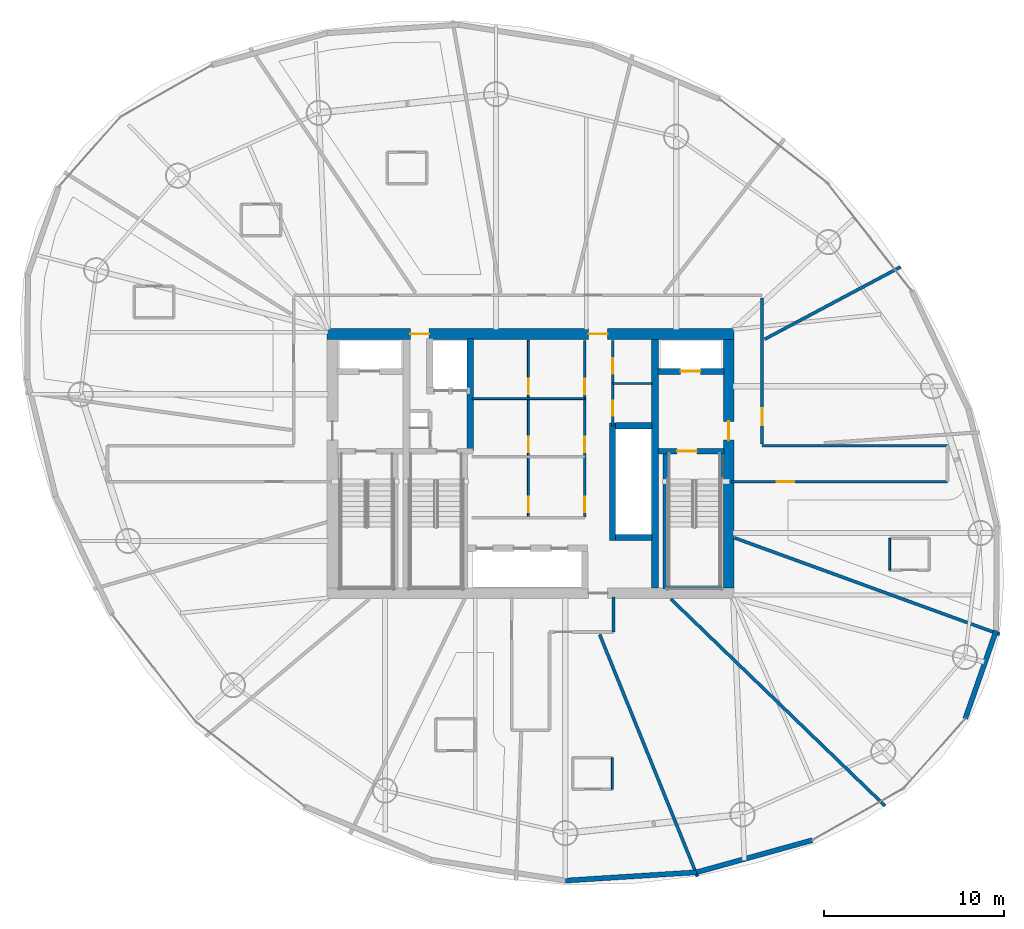
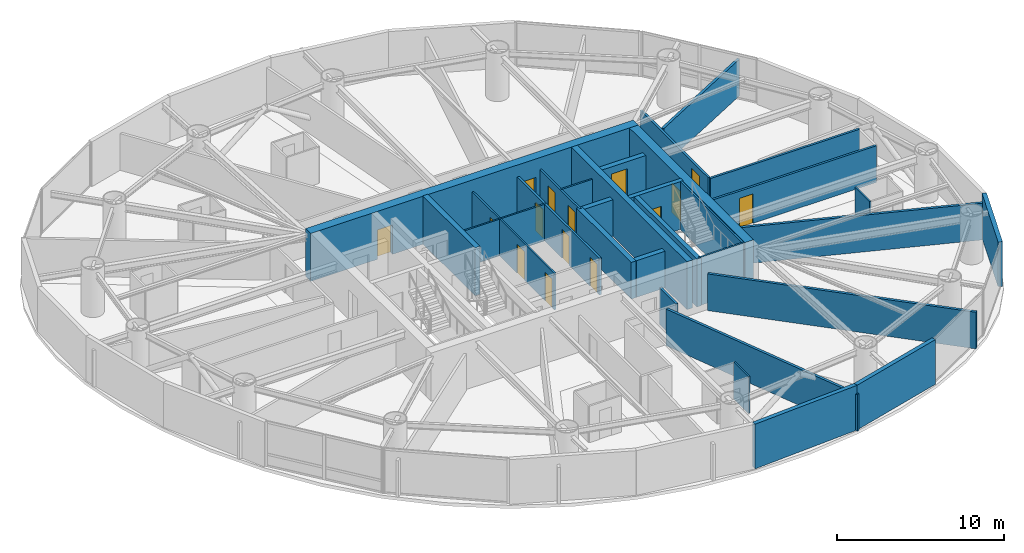
# One storey, part 15 of 20: 30 walls, 15 doors, 15 openings.
"""IFC4 building model written with IfcOpenShell, lengths in metres."""

from ifc_helpers import new_model, si_unit, direction, frame, frame_2d, origin, place, context, subcontext, project, spatial, rectangle, extrude, material, layer, layer_set, type_object, element, fill, save


model = new_model("IFC4")

# Units and contexts
model_context = context("Model", 3, precision=1e-05, world=origin(), true_north=direction((0.0, 1.0)))
body_context = subcontext(model_context, "Body", "Model", "MODEL_VIEW")
ifc_project = project(units=[si_unit("LENGTHUNIT", "METRE"), si_unit("AREAUNIT", "SQUARE_METRE"), si_unit("VOLUMEUNIT", "CUBIC_METRE"), si_unit("PLANEANGLEUNIT", "RADIAN"), si_unit("MASSUNIT", "GRAM", prefix="KILO")], contexts=[model_context])

# Site, building, storey
site_placement = place(None, origin())
site = spatial("IfcSite", under=ifc_project, at=site_placement, CompositionType="ELEMENT")
building_placement = place(site_placement, origin())
building = spatial("IfcBuilding", under=site, at=building_placement, Name="Bramvorn Convention Spire", CompositionType="ELEMENT")
storey_placement = place(building_placement, frame((0.0, 0.0, 151.800048828125)))
storey = spatial("IfcBuildingStorey", under=building, at=storey_placement, Name="L38", CompositionType="ELEMENT", Elevation=151.800048828125)

# Wall, openings, doors
ifc_material_1 = material(Name="Concrete C60/70", Category="concrete")
ifc_layer_1 = layer(ifc_material_1, 0.60009765625)
ifc_layer_set_1 = layer_set([ifc_layer_1], Name="Concrete C60/70 - WL-CORE-600")
wall_type_1 = type_object("IfcWallType", Name="WL-CORE-600", PredefinedType="SHEAR", material=ifc_layer_set_1)
wall_1_placement = place(storey_placement, frame((26.699951171875, 33.199951171875, 0.0), z_axis=(0.0, 0.0, 1.0), x_axis=(1.0, 0.0, 0.0)))
wall_1 = element("IfcWall", 1, at=wall_1_placement, inside=storey, type_object=wall_type_1, Name="L38 North RC core shear wall", PredefinedType="SHEAR", context=body_context, shape_type="SweptSolid", body=[
    extrude(rectangle(XDim=22.60009765625, YDim=0.60009765625, at=frame_2d((11.300048828125, 0.0))), origin(), (0.0, 0.0, 1.0), 3.5),
])
opening_1_placement = place(wall_1_placement, frame((4.6201171875, 0.0, 0.0)))
opening_1 = element("IfcOpeningElement", 2, at=opening_1_placement, cuts=wall_1, Name="Opening DL-105", PredefinedType="OPENING", context=body_context, shape_type="SweptSolid", body=[
    extrude(rectangle(XDim=1.050048828125, YDim=2.14990234375, at=frame_2d((0.52490234375, 1.074951171875))), frame((0.0, 0.31005859375, 0.0), z_axis=(0.0, -1.0, 0.0), x_axis=(1.0, 0.0, 0.0)), (0.0, 0.0, 1.0), 0.6201171875),
])
opening_2_placement = place(wall_1_placement, frame((14.52001953125, 0.0, 0.0)))
opening_2 = element("IfcOpeningElement", 3, at=opening_2_placement, cuts=wall_1, Name="Opening DL-105", PredefinedType="OPENING", context=body_context, shape_type="SweptSolid", body=[
    extrude(rectangle(XDim=1.050048828125, YDim=2.14990234375, at=frame_2d((0.52490234375, 1.074951171875))), frame((0.0, 0.31005859375, 0.0), z_axis=(0.0, -1.0, 0.0), x_axis=(1.0, 0.0, 0.0)), (0.0, 0.0, 1.0), 0.6201171875),
])
ifc_material_2 = material(Name="Smoke-Sealed Fire Lobby Timber-Core Door", Category="wood")
door_type_1 = type_object("IfcDoorType", Name="DR-LOBBY-1050", OperationType="NOTDEFINED", PredefinedType="DOOR", material=ifc_material_2)
door_1_placement = place(opening_1_placement, origin())
door_1 = element("IfcDoor", 4, at=door_1_placement, inside=storey, type_object=door_type_1, Name="L38 Service & Stair ST3 Lobby north corridor door", OperationType="SINGLE_SWING_LEFT", OverallHeight=2.14990234375, OverallWidth=1.050048828125, PredefinedType="DOOR", context=body_context, shape_type="SweptSolid", body=[
    extrude(rectangle(XDim=1.050048828125, YDim=2.14990234375, at=frame_2d((0.52490234375, 1.074951171875))), frame((0.0, 0.02490234375, 0.0), z_axis=(0.0, -1.0, 0.0), x_axis=(1.0, 0.0, 0.0)), (0.0, 0.0, 1.0), 0.050048828125),
])
fill(opening_1, door_1)
door_2_placement = place(opening_2_placement, origin())
door_2 = element("IfcDoor", 5, at=door_2_placement, inside=storey, type_object=door_type_1, Name="L38 North Lift Lobby fire door", OperationType="SINGLE_SWING_LEFT", OverallHeight=2.14990234375, OverallWidth=1.050048828125, PredefinedType="DOOR", context=body_context, shape_type="SweptSolid", body=[
    extrude(rectangle(XDim=1.050048828125, YDim=2.14990234375, at=frame_2d((0.52490234375, 1.074951171875))), frame((0.0, 0.02490234375, 0.0), z_axis=(0.0, -1.0, 0.0), x_axis=(1.0, 0.0, 0.0)), (0.0, 0.0, 1.0), 0.050048828125),
])
fill(opening_2, door_2)

# Wall, opening, door
wall_2_placement = place(storey_placement, frame((49.0, 19.10009765625, 0.0), z_axis=(0.0, 0.0, 1.0), x_axis=(0.0, 1.0, 0.0)))
wall_2 = element("IfcWall", 6, at=wall_2_placement, inside=storey, type_object=wall_type_1, Name="L38 East RC core shear wall", PredefinedType="SHEAR", context=body_context, shape_type="SweptSolid", body=[
    extrude(rectangle(XDim=13.7998046875, YDim=0.60009765625, at=frame_2d((6.89990234375, 0.0))), origin(), (0.0, 0.0, 1.0), 3.5),
])
opening_3_placement = place(wall_2_placement, frame((8.199951171875, 0.0, 0.0)))
opening_3 = element("IfcOpeningElement", 7, at=opening_3_placement, cuts=wall_2, Name="Opening DL-105", PredefinedType="OPENING", context=body_context, shape_type="SweptSolid", body=[
    extrude(rectangle(XDim=1.050048828125, YDim=2.14990234375, at=frame_2d((0.52490234375, 1.074951171875))), frame((0.0, 0.31005859375, 0.0), z_axis=(0.0, -1.0, 0.0), x_axis=(1.0, 0.0, 0.0)), (0.0, 0.0, 1.0), 0.6201171875),
])
door_3_placement = place(opening_3_placement, origin())
door_3 = element("IfcDoor", 8, at=door_3_placement, inside=storey, type_object=door_type_1, Name="L38 East Firefighting Lobby corridor door", OperationType="SINGLE_SWING_LEFT", OverallHeight=2.14990234375, OverallWidth=1.050048828125, PredefinedType="DOOR", context=body_context, shape_type="SweptSolid", body=[
    extrude(rectangle(XDim=1.050048828125, YDim=2.14990234375, at=frame_2d((0.52490234375, 1.074951171875))), frame((0.0, 0.02490234375, 0.0), z_axis=(0.0, -1.0, 0.0), x_axis=(1.0, 0.0, 0.0)), (0.0, 0.0, 1.0), 0.050048828125),
])
fill(opening_3, door_3)

ifc_material_3 = material(Name="Concrete C50/60", Category="concrete")
ifc_layer_2 = layer(ifc_material_3, 0.35009765625)
ifc_layer_set_2 = layer_set([ifc_layer_2], Name="Concrete C50/60 - WL-CORE-INT-350")
wall_type_2 = type_object("IfcWallType", Name="WL-CORE-INT-350", PredefinedType="SHEAR", material=ifc_layer_set_2)
wall_3_placement = place(storey_placement, frame((45.080078125, 31.1201171875, 0.0), z_axis=(0.0, 0.0, 1.0), x_axis=(1.0, 0.0, 0.0)))
wall_3 = element("IfcWall", 9, at=wall_3_placement, inside=storey, type_object=wall_type_2, Name="L38 FE2 shaft front wall", PredefinedType="SHEAR", context=body_context, shape_type="SweptSolid", body=[
    extrude(rectangle(XDim=3.669921875, YDim=0.35009765625, at=frame_2d((1.8349609375, 0.0))), origin(), (0.0, 0.0, 1.0), 2.675048828125),
])
opening_4_placement = place(wall_3_placement, frame((1.25, 0.0, 0.0)))
opening_4 = element("IfcOpeningElement", 10, at=opening_4_placement, cuts=wall_3, Name="Opening LD-110", PredefinedType="OPENING", context=body_context, shape_type="SweptSolid", body=[
    extrude(rectangle(XDim=1.10009765625, YDim=2.14990234375, at=frame_2d((0.550048828125, 1.074951171875))), frame((0.0, 0.18505859375, 0.0), z_axis=(0.0, -1.0, 0.0), x_axis=(1.0, 0.0, 0.0)), (0.0, 0.0, 1.0), 0.3701171875),
])
ifc_material_4 = material(Name="Firefighting & Service Lift Sliding Landing Door", Category="steel")
door_type_2 = type_object("IfcDoorType", Name="DR-LIFT-LD-1100", OperationType="NOTDEFINED", PredefinedType="DOOR", material=ifc_material_4)
door_4_placement = place(opening_4_placement, origin())
door_4 = element("IfcDoor", 11, at=door_4_placement, inside=storey, type_object=door_type_2, Name="L38 Lift FE2 Sliding Landing Door", OperationType="SLIDING_TO_LEFT", OverallHeight=2.14990234375, OverallWidth=1.10009765625, PredefinedType="DOOR", context=body_context, shape_type="SweptSolid", body=[
    extrude(rectangle(XDim=1.10009765625, YDim=2.14990234375, at=frame_2d((0.550048828125, 1.074951171875))), frame((0.0, 0.02490234375, 0.0), z_axis=(0.0, -1.0, 0.0), x_axis=(1.0, 0.0, 0.0)), (0.0, 0.0, 1.0), 0.050048828125),
])
fill(opening_4, door_4)

# Walls
wall_4_placement = place(storey_placement, frame((34.639892578125, 26.68994140625, 0.0), z_axis=(0.0, 0.0, 1.0), x_axis=(0.0, 1.0, 0.0)))
element("IfcWall", 12, at=wall_4_placement, inside=storey, type_object=wall_type_2, Name="L38 SV east core shaft wall", PredefinedType="SHEAR", context=body_context, shape_type="SweptSolid", body=[
    extrude(rectangle(XDim=6.260009765625, YDim=0.35009765625, at=frame_2d((3.1298828125, 0.0))), origin(), (0.0, 0.0, 1.0), 3.5),
])
wall_5_placement = place(storey_placement, frame((42.550048828125, 21.72998046875, 0.0), z_axis=(0.0, 0.0, 1.0), x_axis=(0.0, 1.0, 0.0)))
element("IfcWall", 13, at=wall_5_placement, inside=storey, type_object=wall_type_2, Name="L38 High-rise lift bank west wall", PredefinedType="SHEAR", context=body_context, shape_type="SweptSolid", body=[
    extrude(rectangle(XDim=6.5400390625, YDim=0.35009765625, at=frame_2d((3.27001953125, 0.0))), origin(), (0.0, 0.0, 1.0), 2.675048828125),
])
for number, where, z_axis, x_axis, name in (
    (14, (42.719970703125, 21.89990234375, 0.0), (0.0, 0.0, 1.0), (1.0, 0.0, 0.0), "L38 High-rise lift bank south wall"),
    (15, (42.719970703125, 28.10009765625, 0.0), (0.0, 0.0, 1.0), (1.0, 0.0, 0.0), "L38 High-rise lift bank north wall"),
):
    element("IfcWall", number, at=place(storey_placement, frame(where, z_axis=z_axis, x_axis=x_axis)), inside=storey, type_object=wall_type_2, Name=name, PredefinedType="SHEAR", context=body_context, shape_type="SweptSolid", body=[
        extrude(rectangle(XDim=2.030029296875, YDim=0.35009765625, at=frame_2d((1.01513671875, 0.0))), origin(), (0.0, 0.0, 1.0), 2.675048828125),
    ])
ifc_layer_3 = layer(ifc_material_1, 0.39990234375)
ifc_layer_set_3 = layer_set([ifc_layer_3], Name="Concrete C60/70 - WL-CORE-INT-400")
wall_type_3 = type_object("IfcWallType", Name="WL-CORE-INT-400", PredefinedType="SHEAR", material=ifc_layer_set_3)
wall_6_placement = place(storey_placement, frame((44.89990234375, 19.10009765625, 0.0), z_axis=(0.0, 0.0, 1.0), x_axis=(0.0, 1.0, 0.0)))
element("IfcWall", 16, at=wall_6_placement, inside=storey, type_object=wall_type_3, Name="L38 East internal core shear web", PredefinedType="SHEAR", context=body_context, shape_type="SweptSolid", body=[
    extrude(rectangle(XDim=13.7998046875, YDim=0.39990234375, at=frame_2d((6.89990234375, 0.0))), origin(), (0.0, 0.0, 1.0), 3.5),
])
ifc_material_5 = material(Name="Precast Concrete C40/50 with Bronze Terracotta Rainscreen", Category="masonry")
ifc_layer_4 = layer(ifc_material_5, 0.300048828125)
ifc_layer_set_4 = layer_set([ifc_layer_4], Name="Precast Concrete C40/50 with Bronze Terracotta Rainscreen - WL-EXT-BRONZE-300")
wall_type_4 = type_object("IfcWallType", Name="WL-EXT-BRONZE-300", PredefinedType="SOLIDWALL", material=ifc_layer_set_4)
wall_7_placement = place(storey_placement, frame((63.84521484375, 16.72412109375, 0.0), z_axis=(0.0, 0.0, 1.0), x_axis=(-0.330896813474, -0.943666942747, 0.0)))
element("IfcWall", 17, at=wall_7_placement, inside=storey, type_object=wall_type_4, Name="L38 expressed bronze Gothic lancet pier wall 01", PredefinedType="SOLIDWALL", context=body_context, shape_type="SweptSolid", body=[
    extrude(rectangle(XDim=5.17431640625, YDim=0.280029296875, at=frame_2d((2.587158203125, 0.0))), origin(), (0.0, 0.0, 1.0), 3.260009765625),
])
wall_8_placement = place(storey_placement, frame((47.21875, 3.3095703125, 0.0), z_axis=(0.0, 0.0, 1.0), x_axis=(-0.997998007076, -0.063245378266, 0.0)))
element("IfcWall", 18, at=wall_8_placement, inside=storey, type_object=wall_type_4, Name="L38 expressed bronze Gothic lancet pier wall 21", PredefinedType="SOLIDWALL", context=body_context, shape_type="SweptSolid", body=[
    extrude(rectangle(XDim=7.2919921875, YDim=0.280029296875, at=frame_2d((3.64599609375, 0.0))), origin(), (0.0, 0.0, 1.0), 3.260009765625),
])
wall_9_placement = place(storey_placement, frame((53.64111328125, 5.09228515625, 0.0), z_axis=(0.0, 0.0, 1.0), x_axis=(-0.963567221961, -0.267466275935, 0.0)))
element("IfcWall", 19, at=wall_9_placement, inside=storey, type_object=wall_type_4, Name="L38 expressed bronze Gothic lancet pier wall 22", PredefinedType="SOLIDWALL", context=body_context, shape_type="SweptSolid", body=[
    extrude(rectangle(XDim=6.665283203125, YDim=0.280029296875, at=frame_2d((3.33251953125, 0.0))), origin(), (0.0, 0.0, 1.0), 3.260009765625),
])

# Wall, openings, doors
ifc_material_6 = material(Name="Lightweight En-Suite & Wet-Wall Partition", Category="gypsum")
ifc_layer_5 = layer(ifc_material_6, 0.110107421875)
ifc_layer_set_5 = layer_set([ifc_layer_5], Name="Lightweight En-Suite & Wet-Wall Partition - WL-PART-110")
wall_type_5 = type_object("IfcWallType", Name="WL-PART-110", PredefinedType="PARTITIONING", material=ifc_layer_set_5)
wall_10_placement = place(storey_placement, frame((37.8798828125, 23.050048828125, 0.0), z_axis=(0.0, 0.0, 1.0), x_axis=(0.0, 1.0, 0.0)))
wall_10 = element("IfcWall", 20, at=wall_10_placement, inside=storey, type_object=wall_type_5, Name="L38 KB center wall", PredefinedType="PARTITIONING", context=body_context, shape_type="SweptSolid", body=[
    extrude(rectangle(XDim=9.800048828125, YDim=0.110107421875, at=frame_2d((4.89990234375, 0.0))), origin(), (0.0, 0.0, 1.0), 2.675048828125),
])
opening_5_placement = place(wall_10_placement, frame((0.25, 0.0, 0.0)))
opening_5 = element("IfcOpeningElement", 21, at=opening_5_placement, cuts=wall_10, Name="Opening DC-085", PredefinedType="OPENING", context=body_context, shape_type="SweptSolid", body=[
    extrude(rectangle(XDim=0.85009765625, YDim=2.10009765625, at=frame_2d((0.425048828125, 1.050048828125))), frame((0.0, 0.06494140625, 0.0), z_axis=(0.0, -1.0, 0.0), x_axis=(1.0, 0.0, 0.0)), (0.0, 0.0, 1.0), 0.130126953125),
])
opening_6_placement = place(wall_10_placement, frame((3.58203125, 0.0, 0.0)))
opening_6 = element("IfcOpeningElement", 22, at=opening_6_placement, cuts=wall_10, Name="Opening DC-085", PredefinedType="OPENING", context=body_context, shape_type="SweptSolid", body=[
    extrude(rectangle(XDim=0.85009765625, YDim=2.10009765625, at=frame_2d((0.425048828125, 1.050048828125))), frame((0.0, 0.06494140625, 0.0), z_axis=(0.0, -1.0, 0.0), x_axis=(1.0, 0.0, 0.0)), (0.0, 0.0, 1.0), 0.130126953125),
])
opening_7_placement = place(wall_10_placement, frame((6.81591796875, 0.0, 0.0)))
opening_7 = element("IfcOpeningElement", 23, at=opening_7_placement, cuts=wall_10, Name="Opening DC-085", PredefinedType="OPENING", context=body_context, shape_type="SweptSolid", body=[
    extrude(rectangle(XDim=0.85009765625, YDim=2.10009765625, at=frame_2d((0.425048828125, 1.050048828125))), frame((0.0, 0.06494140625, 0.0), z_axis=(0.0, -1.0, 0.0), x_axis=(1.0, 0.0, 0.0)), (0.0, 0.0, 1.0), 0.130126953125),
])
ifc_material_7 = material(Name="Fire-Rated Core Washroom & IDF Door", Category="wood")
door_type_3 = type_object("IfcDoorType", Name="DR-CORE-850", OperationType="NOTDEFINED", PredefinedType="DOOR", material=ifc_material_7)
door_5_placement = place(opening_5_placement, origin())
door_5 = element("IfcDoor", 24, at=door_5_placement, inside=storey, type_object=door_type_3, Name="L38 Core Linen Store door", OperationType="SINGLE_SWING_LEFT", OverallHeight=2.10009765625, OverallWidth=0.85009765625, PredefinedType="DOOR", context=body_context, shape_type="SweptSolid", body=[
    extrude(rectangle(XDim=0.85009765625, YDim=2.10009765625, at=frame_2d((0.425048828125, 1.050048828125))), frame((0.0, 0.02490234375, 0.0), z_axis=(0.0, -1.0, 0.0), x_axis=(1.0, 0.0, 0.0)), (0.0, 0.0, 1.0), 0.050048828125),
])
fill(opening_5, door_5)
door_6_placement = place(opening_6_placement, origin())
door_6 = element("IfcDoor", 25, at=door_6_placement, inside=storey, type_object=door_type_3, Name="L38 Core Metering Closet door", OperationType="SINGLE_SWING_LEFT", OverallHeight=2.10009765625, OverallWidth=0.85009765625, PredefinedType="DOOR", context=body_context, shape_type="SweptSolid", body=[
    extrude(rectangle(XDim=0.85009765625, YDim=2.10009765625, at=frame_2d((0.425048828125, 1.050048828125))), frame((0.0, 0.02490234375, 0.0), z_axis=(0.0, -1.0, 0.0), x_axis=(1.0, 0.0, 0.0)), (0.0, 0.0, 1.0), 0.050048828125),
])
fill(opening_6, door_6)
door_7_placement = place(opening_7_placement, origin())
door_7 = element("IfcDoor", 26, at=door_7_placement, inside=storey, type_object=door_type_3, Name="L38 Core Janitor Supply door", OperationType="SINGLE_SWING_LEFT", OverallHeight=2.10009765625, OverallWidth=0.85009765625, PredefinedType="DOOR", context=body_context, shape_type="SweptSolid", body=[
    extrude(rectangle(XDim=0.85009765625, YDim=2.10009765625, at=frame_2d((0.425048828125, 1.050048828125))), frame((0.0, 0.02490234375, 0.0), z_axis=(0.0, -1.0, 0.0), x_axis=(1.0, 0.0, 0.0)), (0.0, 0.0, 1.0), 0.050048828125),
])
fill(opening_7, door_7)

# Walls
wall_11_placement = place(storey_placement, frame((34.75, 29.615966796875, 0.0), z_axis=(0.0, 0.0, 1.0), x_axis=(1.0, 0.0, 0.0)))
element("IfcWall", 27, at=wall_11_placement, inside=storey, type_object=wall_type_5, Name="L38 KB divider 2", PredefinedType="PARTITIONING", context=body_context, shape_type="SweptSolid", body=[
    extrude(rectangle(XDim=6.25, YDim=0.110107421875, at=frame_2d((3.125, 0.0))), origin(), (0.0, 0.0, 1.0), 2.675048828125),
])
wall_12_placement = place(storey_placement, frame((42.550048828125, 30.449951171875, 0.0), z_axis=(0.0, 0.0, 1.0), x_axis=(1.0, 0.0, 0.0)))
element("IfcWall", 28, at=wall_12_placement, inside=storey, type_object=wall_type_5, Name="L38 KB NE divider", PredefinedType="PARTITIONING", context=body_context, shape_type="SweptSolid", body=[
    extrude(rectangle(XDim=2.199951171875, YDim=0.110107421875, at=frame_2d((1.10009765625, 0.0))), origin(), (0.0, 0.0, 1.0), 2.675048828125),
])
for number, where, z_axis, x_axis, name in (
    (29, (42.5400390625, 7.912109375, 0.0), (0.0, 0.0, 1.0), (0.0, 1.0, 0.0), "Hotel Suite 3812 en-suite east wall"),
    (30, (57.9287109375, 20.09326171875, 0.0), (0.0, 0.0, 1.0), (0.0, 1.0, 0.0), "Hotel Suite 3815 en-suite west wall"),
):
    element("IfcWall", number, at=place(storey_placement, frame(where, z_axis=z_axis, x_axis=x_axis)), inside=storey, type_object=wall_type_5, Name=name, PredefinedType="PARTITIONING", context=body_context, shape_type="SweptSolid", body=[
        extrude(rectangle(XDim=1.760009765625, YDim=0.110107421875, at=frame_2d((0.8798828125, 0.0))), origin(), (0.0, 0.0, 1.0), 2.675048828125),
    ])

# Wall, openings, doors
ifc_material_8 = material(Name="Metal-Stud Demountable Office Partition", Category="gypsum")
ifc_layer_6 = layer(ifc_material_8, 0.1298828125)
ifc_layer_set_6 = layer_set([ifc_layer_6], Name="Metal-Stud Demountable Office Partition - WL-PART-130")
wall_type_6 = type_object("IfcWallType", Name="WL-PART-130", PredefinedType="PARTITIONING", material=ifc_layer_set_6)
wall_13_placement = place(storey_placement, frame((42.550048828125, 28.10009765625, 0.0), z_axis=(0.0, 0.0, 1.0), x_axis=(0.0, 1.0, 0.0)))
wall_13 = element("IfcWall", 31, at=wall_13_placement, inside=storey, type_object=wall_type_6, Name="L38 KB NE split wall", PredefinedType="PARTITIONING", context=body_context, shape_type="SweptSolid", body=[
    extrude(rectangle(XDim=4.75, YDim=0.1298828125, at=frame_2d((2.375, 0.0))), origin(), (0.0, 0.0, 1.0), 2.675048828125),
])
opening_8_placement = place(wall_13_placement, frame((0.550048828125, 0.0, 0.0)))
opening_8 = element("IfcOpeningElement", 32, at=opening_8_placement, cuts=wall_13, Name="Opening DC-085", PredefinedType="OPENING", context=body_context, shape_type="SweptSolid", body=[
    extrude(rectangle(XDim=0.85009765625, YDim=2.10009765625, at=frame_2d((0.425048828125, 1.050048828125))), frame((0.0, 0.074951171875, 0.0), z_axis=(0.0, -1.0, 0.0), x_axis=(1.0, 0.0, 0.0)), (0.0, 0.0, 1.0), 0.14990234375),
])
opening_9_placement = place(wall_13_placement, frame((2.89990234375, 0.0, 0.0)))
opening_9 = element("IfcOpeningElement", 33, at=opening_9_placement, cuts=wall_13, Name="Opening DC-085", PredefinedType="OPENING", context=body_context, shape_type="SweptSolid", body=[
    extrude(rectangle(XDim=0.85009765625, YDim=2.10009765625, at=frame_2d((0.425048828125, 1.050048828125))), frame((0.0, 0.074951171875, 0.0), z_axis=(0.0, -1.0, 0.0), x_axis=(1.0, 0.0, 0.0)), (0.0, 0.0, 1.0), 0.14990234375),
])
door_8_placement = place(opening_8_placement, origin())
door_8 = element("IfcDoor", 34, at=door_8_placement, inside=storey, type_object=door_type_3, Name="L38 Core Staff WC door", OperationType="SINGLE_SWING_LEFT", OverallHeight=2.10009765625, OverallWidth=0.85009765625, PredefinedType="DOOR", context=body_context, shape_type="SweptSolid", body=[
    extrude(rectangle(XDim=0.85009765625, YDim=2.10009765625, at=frame_2d((0.425048828125, 1.050048828125))), frame((0.0, 0.02490234375, 0.0), z_axis=(0.0, -1.0, 0.0), x_axis=(1.0, 0.0, 0.0)), (0.0, 0.0, 1.0), 0.050048828125),
])
fill(opening_8, door_8)
door_9_placement = place(opening_9_placement, origin())
door_9 = element("IfcDoor", 35, at=door_9_placement, inside=storey, type_object=door_type_3, Name="L38 Core Data Closet door", OperationType="SINGLE_SWING_LEFT", OverallHeight=2.10009765625, OverallWidth=0.85009765625, PredefinedType="DOOR", context=body_context, shape_type="SweptSolid", body=[
    extrude(rectangle(XDim=0.85009765625, YDim=2.10009765625, at=frame_2d((0.425048828125, 1.050048828125))), frame((0.0, 0.02490234375, 0.0), z_axis=(0.0, -1.0, 0.0), x_axis=(1.0, 0.0, 0.0)), (0.0, 0.0, 1.0), 0.050048828125),
])
fill(opening_9, door_9)

ifc_material_9 = material(Name="Acoustic Metal-Stud Tenant/Corridor Partition", Category="gypsum")
ifc_layer_7 = layer(ifc_material_9, 0.14990234375)
ifc_layer_set_7 = layer_set([ifc_layer_7], Name="Acoustic Metal-Stud Tenant/Corridor Partition - WL-PART-150")
wall_type_7 = type_object("IfcWallType", Name="WL-PART-150", PredefinedType="PARTITIONING", material=ifc_layer_set_7)
wall_14_placement = place(storey_placement, frame((41.0, 23.050048828125, 0.0), z_axis=(0.0, 0.0, 1.0), x_axis=(0.0, 1.0, 0.0)))
wall_14 = element("IfcWall", 36, at=wall_14_placement, inside=storey, type_object=wall_type_7, Name="L38 KB east core wall", PredefinedType="PARTITIONING", context=body_context, shape_type="SweptSolid", body=[
    extrude(rectangle(XDim=9.800048828125, YDim=0.14990234375, at=frame_2d((4.89990234375, 0.0))), origin(), (0.0, 0.0, 1.0), 2.675048828125),
])
opening_10_placement = place(wall_14_placement, frame((0.25, 0.0, 0.0)))
opening_10 = element("IfcOpeningElement", 37, at=opening_10_placement, cuts=wall_14, Name="Opening DC-085", PredefinedType="OPENING", context=body_context, shape_type="SweptSolid", body=[
    extrude(rectangle(XDim=0.85009765625, YDim=2.10009765625, at=frame_2d((0.425048828125, 1.050048828125))), frame((0.0, 0.0849609375, 0.0), z_axis=(0.0, -1.0, 0.0), x_axis=(1.0, 0.0, 0.0)), (0.0, 0.0, 1.0), 0.169921875),
])
opening_11_placement = place(wall_14_placement, frame((3.58203125, 0.0, 0.0)))
opening_11 = element("IfcOpeningElement", 38, at=opening_11_placement, cuts=wall_14, Name="Opening DC-085", PredefinedType="OPENING", context=body_context, shape_type="SweptSolid", body=[
    extrude(rectangle(XDim=0.85009765625, YDim=2.10009765625, at=frame_2d((0.425048828125, 1.050048828125))), frame((0.0, 0.0849609375, 0.0), z_axis=(0.0, -1.0, 0.0), x_axis=(1.0, 0.0, 0.0)), (0.0, 0.0, 1.0), 0.169921875),
])
opening_12_placement = place(wall_14_placement, frame((6.81591796875, 0.0, 0.0)))
opening_12 = element("IfcOpeningElement", 39, at=opening_12_placement, cuts=wall_14, Name="Opening DC-085", PredefinedType="OPENING", context=body_context, shape_type="SweptSolid", body=[
    extrude(rectangle(XDim=0.85009765625, YDim=2.10009765625, at=frame_2d((0.425048828125, 1.050048828125))), frame((0.0, 0.0849609375, 0.0), z_axis=(0.0, -1.0, 0.0), x_axis=(1.0, 0.0, 0.0)), (0.0, 0.0, 1.0), 0.169921875),
])
door_10_placement = place(opening_10_placement, origin())
door_10 = element("IfcDoor", 40, at=door_10_placement, inside=storey, type_object=door_type_3, Name="L38 Accessible Core Restroom door", OperationType="SINGLE_SWING_LEFT", OverallHeight=2.10009765625, OverallWidth=0.85009765625, PredefinedType="DOOR", context=body_context, shape_type="SweptSolid", body=[
    extrude(rectangle(XDim=0.85009765625, YDim=2.10009765625, at=frame_2d((0.425048828125, 1.050048828125))), frame((0.0, 0.02490234375, 0.0), z_axis=(0.0, -1.0, 0.0), x_axis=(1.0, 0.0, 0.0)), (0.0, 0.0, 1.0), 0.050048828125),
])
fill(opening_10, door_10)
door_11_placement = place(opening_11_placement, origin())
door_11 = element("IfcDoor", 41, at=door_11_placement, inside=storey, type_object=door_type_3, Name="L38 Floor Housekeeping & Linen Store door", OperationType="SINGLE_SWING_LEFT", OverallHeight=2.10009765625, OverallWidth=0.85009765625, PredefinedType="DOOR", context=body_context, shape_type="SweptSolid", body=[
    extrude(rectangle(XDim=0.85009765625, YDim=2.10009765625, at=frame_2d((0.425048828125, 1.050048828125))), frame((0.0, 0.02490234375, 0.0), z_axis=(0.0, -1.0, 0.0), x_axis=(1.0, 0.0, 0.0)), (0.0, 0.0, 1.0), 0.050048828125),
])
fill(opening_11, door_11)
door_12_placement = place(opening_12_placement, origin())
door_12 = element("IfcDoor", 42, at=door_12_placement, inside=storey, type_object=door_type_3, Name="L38 Gender-Neutral Core WC door", OperationType="SINGLE_SWING_LEFT", OverallHeight=2.10009765625, OverallWidth=0.85009765625, PredefinedType="DOOR", context=body_context, shape_type="SweptSolid", body=[
    extrude(rectangle(XDim=0.85009765625, YDim=2.10009765625, at=frame_2d((0.425048828125, 1.050048828125))), frame((0.0, 0.02490234375, 0.0), z_axis=(0.0, -1.0, 0.0), x_axis=(1.0, 0.0, 0.0)), (0.0, 0.0, 1.0), 0.050048828125),
])
fill(opening_12, door_12)

# Wall, opening, door
wall_15_placement = place(storey_placement, frame((50.85009765625, 27.080078125, 0.0), z_axis=(0.0, 0.0, 1.0), x_axis=(0.0, 1.0, 0.0)))
wall_15 = element("IfcWall", 43, at=wall_15_placement, inside=storey, type_object=wall_type_7, Name="L38 NE gallery cheek", PredefinedType="PARTITIONING", context=body_context, shape_type="SweptSolid", body=[
    extrude(rectangle(XDim=8.119873046875, YDim=0.14990234375, at=frame_2d((4.06005859375, 0.0))), origin(), (0.0, 0.0, 1.0), 2.675048828125),
])
opening_13_placement = place(wall_15_placement, frame((1.0537109375, 0.0, 0.0)))
opening_13 = element("IfcOpeningElement", 44, at=opening_13_placement, cuts=wall_15, Name="Opening DH-095", PredefinedType="OPENING", context=body_context, shape_type="SweptSolid", body=[
    extrude(rectangle(XDim=0.949951171875, YDim=2.14990234375, at=frame_2d((0.47509765625, 1.074951171875))), frame((0.0, 0.0849609375, 0.0), z_axis=(0.0, -1.0, 0.0), x_axis=(1.0, 0.0, 0.0)), (0.0, 0.0, 1.0), 0.169921875),
])
ifc_material_10 = material(Name="Solid-Core Acoustic Guestroom Entry Door", Category="wood")
door_type_4 = type_object("IfcDoorType", Name="DR-HOTEL-950", OperationType="NOTDEFINED", PredefinedType="DOOR", material=ifc_material_10)
door_13_placement = place(opening_13_placement, origin())
door_13 = element("IfcDoor", 45, at=door_13_placement, inside=storey, type_object=door_type_4, Name="L38 Hospitality Lounge 1 door", OperationType="SINGLE_SWING_RIGHT", OverallHeight=2.14990234375, OverallWidth=0.949951171875, PredefinedType="DOOR", context=body_context, shape_type="SweptSolid", body=[
    extrude(rectangle(XDim=0.949951171875, YDim=2.14990234375, at=frame_2d((0.47509765625, 1.074951171875))), frame((0.0, 0.02490234375, 0.0), z_axis=(0.0, -1.0, 0.0), x_axis=(1.0, 0.0, 0.0)), (0.0, 0.0, 1.0), 0.050048828125),
])
fill(opening_13, door_13)

# Wall
wall_16_placement = place(storey_placement, frame((50.85009765625, 27.0, 0.0), z_axis=(0.0, 0.0, 1.0), x_axis=(1.0, 0.0, 0.0)))
element("IfcWall", 46, at=wall_16_placement, inside=storey, type_object=wall_type_7, Name="L38 East wing spine north wall", PredefinedType="PARTITIONING", context=body_context, shape_type="SweptSolid", body=[
    extrude(rectangle(XDim=10.29931640625, YDim=0.14990234375, at=frame_2d((5.149658203125, 0.0))), origin(), (0.0, 0.0, 1.0), 2.675048828125),
])

# Wall, opening, door
wall_17_placement = place(storey_placement, frame((49.14990234375, 25.0, 0.0), z_axis=(0.0, 0.0, 1.0), x_axis=(1.0, 0.0, 0.0)))
wall_17 = element("IfcWall", 47, at=wall_17_placement, inside=storey, type_object=wall_type_7, Name="L38 East wing spine south wall", PredefinedType="PARTITIONING", context=body_context, shape_type="SweptSolid", body=[
    extrude(rectangle(XDim=11.99951171875, YDim=0.14990234375, at=frame_2d((5.999755859375, 0.0))), origin(), (0.0, 0.0, 1.0), 2.675048828125),
])
opening_14_placement = place(wall_17_placement, frame((2.52490234375, 0.0, 0.0)))
opening_14 = element("IfcOpeningElement", 48, at=opening_14_placement, cuts=wall_17, Name="Opening DH-095", PredefinedType="OPENING", context=body_context, shape_type="SweptSolid", body=[
    extrude(rectangle(XDim=0.949951171875, YDim=2.14990234375, at=frame_2d((0.47509765625, 1.074951171875))), frame((0.0, 0.0849609375, 0.0), z_axis=(0.0, -1.0, 0.0), x_axis=(1.0, 0.0, 0.0)), (0.0, 0.0, 1.0), 0.169921875),
])
door_14_placement = place(opening_14_placement, origin())
door_14 = element("IfcDoor", 49, at=door_14_placement, inside=storey, type_object=door_type_4, Name="Hotel Suite 3815 entry door", OperationType="SINGLE_SWING_LEFT", OverallHeight=2.14990234375, OverallWidth=0.949951171875, PredefinedType="DOOR", context=body_context, shape_type="SweptSolid", body=[
    extrude(rectangle(XDim=0.949951171875, YDim=2.14990234375, at=frame_2d((0.47509765625, 1.074951171875))), frame((0.0, 0.02490234375, 0.0), z_axis=(0.0, -1.0, 0.0), x_axis=(1.0, 0.0, 0.0)), (0.0, 0.0, 1.0), 0.050048828125),
])
fill(opening_14, door_14)

# Walls
wall_18_placement = place(storey_placement, frame((42.60009765625, 16.64990234375, 0.0), z_axis=(0.0, 0.0, 1.0), x_axis=(0.0, 1.0, 0.0)))
element("IfcWall", 50, at=wall_18_placement, inside=storey, type_object=wall_type_7, Name="L38 South lift lobby east cheek", PredefinedType="PARTITIONING", context=body_context, shape_type="SweptSolid", body=[
    extrude(rectangle(XDim=1.9501953125, YDim=0.14990234375, at=frame_2d((0.97509765625, 0.0))), origin(), (0.0, 0.0, 1.0), 2.675048828125),
])
ifc_material_11 = material(Name="Double-Stud Acoustic Hotel/Suite Partition", Category="gypsum")
ifc_layer_8 = layer(ifc_material_11, 0.175048828125)
ifc_layer_set_8 = layer_set([ifc_layer_8], Name="Double-Stud Acoustic Hotel/Suite Partition - WL-PART-175")
wall_type_8 = type_object("IfcWallType", Name="WL-PART-175", PredefinedType="PARTITIONING", material=ifc_layer_set_8)
wall_19_placement = place(storey_placement, frame((50.989990234375, 32.906982421875, 0.0), z_axis=(0.0, 0.0, 1.0), x_axis=(0.88295032644, 0.469466421632, 0.0)))
element("IfcWall", 51, at=wall_19_placement, inside=storey, type_object=wall_type_8, Name="L38 Guestroom demising wall 2", PredefinedType="PARTITIONING", context=body_context, shape_type="SweptSolid", body=[
    extrude(rectangle(XDim=8.56494140625, YDim=0.175048828125, at=frame_2d((4.282470703125, 0.0))), origin(), (0.0, 0.0, 1.0), 2.675048828125),
])
wall_20_placement = place(storey_placement, frame((41.834228515625, 16.510009765625, 0.0), z_axis=(0.0, 0.0, 1.0), x_axis=(0.374613654404, -0.927181001711, 0.0)))
element("IfcWall", 52, at=wall_20_placement, inside=storey, type_object=wall_type_8, Name="L38 Guestroom demising wall 13", PredefinedType="PARTITIONING", context=body_context, shape_type="SweptSolid", body=[
    extrude(rectangle(XDim=14.5, YDim=0.175048828125, at=frame_2d((7.25, 0.0))), origin(), (0.0, 0.0, 1.0), 2.675048828125),
])
wall_21_placement = place(storey_placement, frame((45.787109375, 18.47998046875, 0.0), z_axis=(0.0, 0.0, 1.0), x_axis=(0.719344241766, -0.694653771197, 0.0)))
element("IfcWall", 53, at=wall_21_placement, inside=storey, type_object=wall_type_8, Name="L38 Guestroom demising wall 14", PredefinedType="PARTITIONING", context=body_context, shape_type="SweptSolid", body=[
    extrude(rectangle(XDim=16.542724609375, YDim=0.175048828125, at=frame_2d((8.271484375, 0.0))), origin(), (0.0, 0.0, 1.0), 2.675048828125),
])
wall_22_placement = place(storey_placement, frame((49.320068359375, 21.8798828125, 0.0), z_axis=(0.0, 0.0, 1.0), x_axis=(0.939689698129, -0.342028173154, 0.0)))
element("IfcWall", 54, at=wall_22_placement, inside=storey, type_object=wall_type_8, Name="L38 Guestroom demising wall 15", PredefinedType="PARTITIONING", context=body_context, shape_type="SweptSolid", body=[
    extrude(rectangle(XDim=15.675048828125, YDim=0.175048828125, at=frame_2d((7.83740234375, 0.0))), origin(), (0.0, 0.0, 1.0), 2.675048828125),
])

# Wall, opening, door
ifc_layer_9 = layer(ifc_material_3, 0.300048828125)
ifc_layer_set_9 = layer_set([ifc_layer_9], Name="Concrete C50/60 - WL-POD-STAIR-300")
wall_type_9 = type_object("IfcWallType", Name="WL-POD-STAIR-300", PredefinedType="SHEAR", material=ifc_layer_set_9)
wall_23_placement = place(storey_placement, frame((45.080078125, 26.68994140625, 0.0), z_axis=(0.0, 0.0, 1.0), x_axis=(1.0, 0.0, 0.0)))
wall_23 = element("IfcWall", 55, at=wall_23_placement, inside=storey, type_object=wall_type_9, Name="L38 ST2 north fire wall", PredefinedType="SHEAR", context=body_context, shape_type="SweptSolid", body=[
    extrude(rectangle(XDim=3.669921875, YDim=0.300048828125, at=frame_2d((1.8349609375, 0.0))), origin(), (0.0, 0.0, 1.0), 3.5),
])
opening_15_placement = place(wall_23_placement, frame((1.050048828125, 0.0, 0.0)))
opening_15 = element("IfcOpeningElement", 56, at=opening_15_placement, cuts=wall_23, Name="Opening DS-110", PredefinedType="OPENING", context=body_context, shape_type="SweptSolid", body=[
    extrude(rectangle(XDim=1.10009765625, YDim=2.14990234375, at=frame_2d((0.550048828125, 1.074951171875))), frame((0.0, 0.159912109375, 0.0), z_axis=(0.0, -1.0, 0.0), x_axis=(1.0, 0.0, 0.0)), (0.0, 0.0, 1.0), 0.320068359375),
])
ifc_material_12 = material(Name="Fire-Rated Hollow Steel Stairwell Door", Category="steel")
door_type_5 = type_object("IfcDoorType", Name="DR-STAIR-1100", OperationType="NOTDEFINED", PredefinedType="DOOR", material=ifc_material_12)
door_15_placement = place(opening_15_placement, origin())
door_15 = element("IfcDoor", 57, at=door_15_placement, inside=storey, type_object=door_type_5, Name="L38 Stair ST2 fire door", OperationType="SINGLE_SWING_RIGHT", OverallHeight=2.14990234375, OverallWidth=1.10009765625, PredefinedType="DOOR", context=body_context, shape_type="SweptSolid", body=[
    extrude(rectangle(XDim=1.10009765625, YDim=2.14990234375, at=frame_2d((0.550048828125, 1.074951171875))), frame((0.0, 0.02490234375, 0.0), z_axis=(0.0, -1.0, 0.0), x_axis=(1.0, 0.0, 0.0)), (0.0, 0.0, 1.0), 0.050048828125),
])
fill(opening_15, door_15)

# Walls
wall_24_placement = place(storey_placement, frame((45.510009765625, 19.050048828125, 0.0), z_axis=(0.0, 0.0, 1.0), x_axis=(0.0, 1.0, 0.0)))
element("IfcWall", 58, at=wall_24_placement, inside=storey, type_object=wall_type_9, Name="L38 ST2 west bearing wall", PredefinedType="SHEAR", context=body_context, shape_type="SweptSolid", body=[
    extrude(rectangle(XDim=7.5, YDim=0.300048828125, at=frame_2d((3.75, 0.0))), origin(), (0.0, 0.0, 1.0), 3.5),
])
ifc_layer_10 = layer(ifc_material_3, 0.1201171875)
ifc_layer_set_10 = layer_set([ifc_layer_10], Name="Concrete C50/60 - WL-STAIR-RC-120")
wall_type_10 = type_object("IfcWallType", Name="WL-STAIR-RC-120", PredefinedType="SHEAR", material=ifc_layer_set_10)
wall_25_placement = place(storey_placement, frame((48.60498046875, 19.10009765625, 0.0), z_axis=(0.0, 0.0, 1.0), x_axis=(0.0, 1.0, 0.0)))
element("IfcWall", 59, at=wall_25_placement, inside=storey, type_object=wall_type_10, Name="L38 ST2 east bearing shear wall", PredefinedType="SHEAR", context=body_context, shape_type="SweptSolid", body=[
    extrude(rectangle(XDim=7.449951171875, YDim=0.1201171875, at=frame_2d((3.72509765625, 0.0))), origin(), (0.0, 0.0, 1.0), 3.5),
])
wall_26_placement = place(storey_placement, frame((45.510009765625, 19.159912109375, 0.0), z_axis=(0.0, 0.0, 1.0), x_axis=(1.0, 0.0, 0.0)))
element("IfcWall", 60, at=wall_26_placement, inside=storey, type_object=wall_type_10, Name="L38 ST2 south bearing shear wall", PredefinedType="SHEAR", context=body_context, shape_type="SweptSolid", body=[
    extrude(rectangle(XDim=3.094970703125, YDim=0.1201171875, at=frame_2d((1.54736328125, 0.0))), origin(), (0.0, 0.0, 1.0), 3.5),
])

save(model, "model.ifc")
